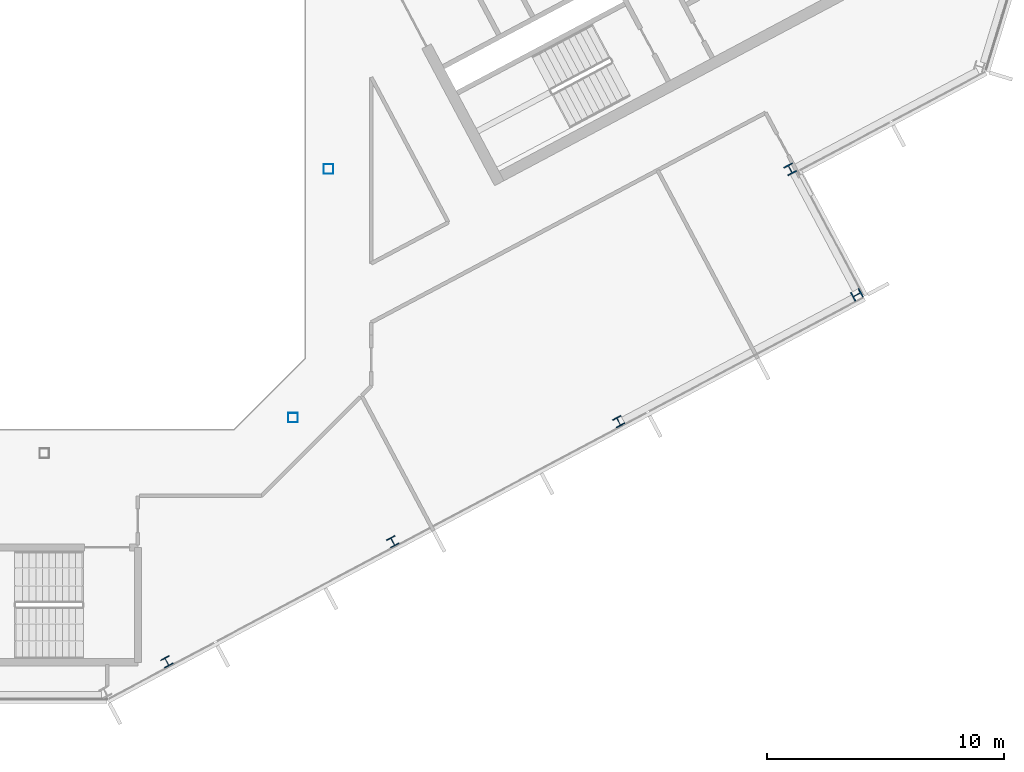
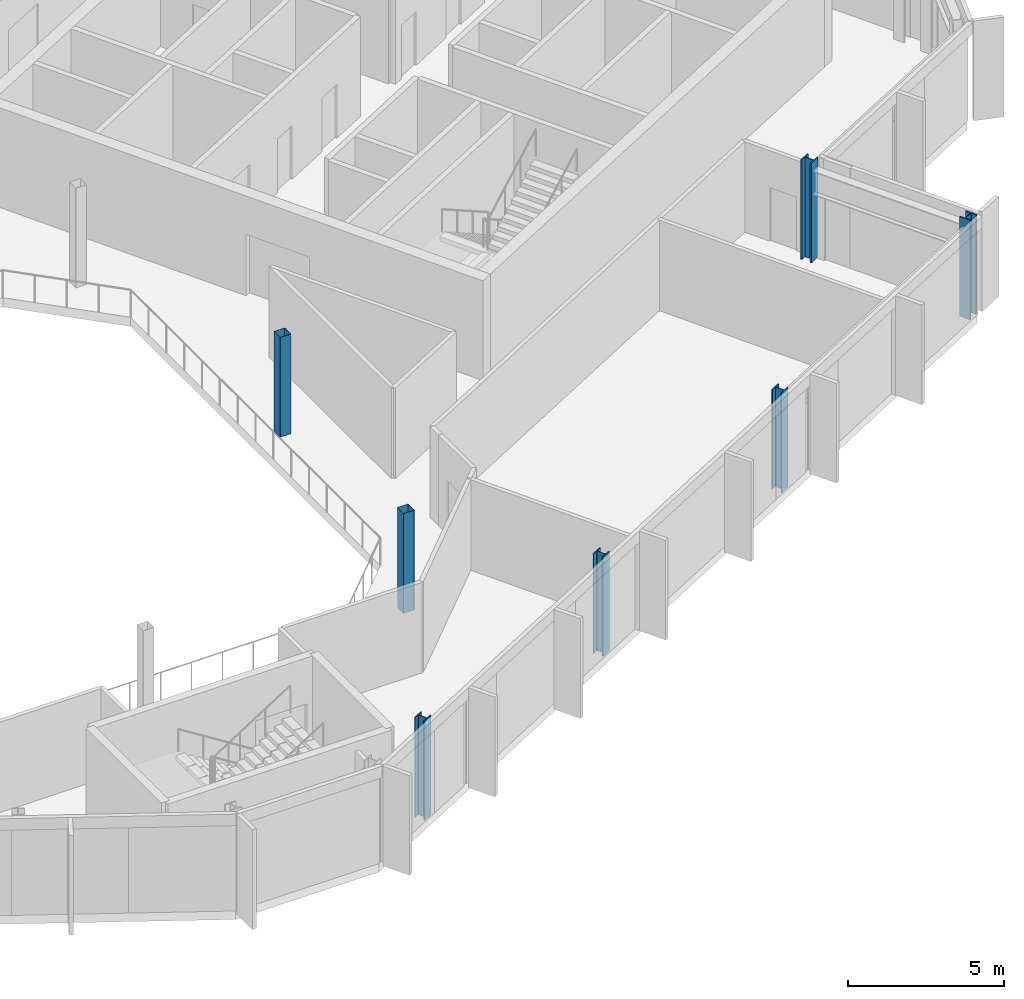
# One storey, part 5 of 25: 7 columns.
"""IFC4 building model written with IfcOpenShell, lengths in metres."""

from ifc_helpers import new_model, si_unit, direction, frame, origin, origin_2d, place, context, subcontext, project, spatial, hollow_rectangle, i_section, extrude, material, material_profile, profile_set, type_object, element, save


model = new_model("IFC4")

# Units and contexts
model_context = context("Model", 3, precision=1e-05, world=origin(), true_north=direction((0.0, 1.0)))
body_context = subcontext(model_context, "Body", "Model", "MODEL_VIEW")
ifc_project = project(units=[si_unit("LENGTHUNIT", "METRE"), si_unit("AREAUNIT", "SQUARE_METRE"), si_unit("VOLUMEUNIT", "CUBIC_METRE"), si_unit("PLANEANGLEUNIT", "RADIAN"), si_unit("MASSUNIT", "GRAM", prefix="KILO")], contexts=[model_context])

# Site, building, storey
site_placement = place(None, origin())
site = spatial("IfcSite", under=ifc_project, at=site_placement, CompositionType="ELEMENT")
building_placement = place(site_placement, origin())
building = spatial("IfcBuilding", under=site, at=building_placement, Name="Cormorant Relay Tower", CompositionType="ELEMENT")
storey_placement = place(building_placement, frame((0.0, 0.0, 273.60009765625)))
storey = spatial("IfcBuildingStorey", under=building, at=storey_placement, Name="L61", CompositionType="ELEMENT", Elevation=273.60009765625)

# Columns
ifc_material_1 = material(Name="Steel ASTM A500 Grade C (Fy 345 MPa)", Category="steel")
ifc_material_profile_1 = material_profile(ifc_material_1, hollow_rectangle(XDim=0.406494140625, YDim=0.406494140625, WallThickness=0.0087890625, InnerFilletRadius=0.00439453125, OuterFilletRadius=0.01318359375, at=origin_2d()), Name="HSS406x406x9")
ifc_profile_set_1 = profile_set([ifc_material_profile_1], Name="Steel ASTM A500 Grade C (Fy 345 MPa)")
column_type_1 = type_object("IfcColumnType", Name="Column HSS406x406x9", PredefinedType="COLUMN", material=ifc_profile_set_1)
for number, where, z_axis, x_axis, name in (
    (1, (10.5, -10.5, 0.0), (0.0, 0.0, 1.0), (1.0, 0.0, 0.0), "Column L61-010"),
    (2, (12.0, 0.0, 0.0), (0.0, 0.0, 1.0), (1.0, 0.0, 0.0), "Column L61-016"),
):
    element("IfcColumn", number, at=place(storey_placement, frame(where, z_axis=z_axis, x_axis=x_axis)), inside=storey, type_object=column_type_1, Name=name, PredefinedType="COLUMN", context=body_context, shape_type="SweptSolid", body=[
        extrude(hollow_rectangle(XDim=0.406494140625, YDim=0.406494140625, WallThickness=0.0087890625, InnerFilletRadius=0.00439453125, OuterFilletRadius=0.01318359375, at=origin_2d()), origin(), (0.0, 0.0, 1.0), 3.89990234375),
    ])
ifc_material_2 = material(Name="Steel ASTM A992 (Fy 345 MPa)", Category="steel")
ifc_material_profile_2 = material_profile(ifc_material_2, i_section(OverallWidth=0.398681640625, OverallDepth=0.385986328125, WebThickness=0.02099609375, FlangeThickness=0.033203125, FilletRadius=0.01513671875, at=origin_2d()), Name="W360x262")
ifc_profile_set_2 = profile_set([ifc_material_profile_2], Name="Steel ASTM A992 (Fy 345 MPa)")
column_type_2 = type_object("IfcColumnType", Name="Column W360x262", PredefinedType="COLUMN", material=ifc_profile_set_2)
for number, where, z_axis, x_axis, name in (
    (3, (5.174072265625, -20.806884765625, 0.0), (0.0, 0.0, 1.0), (0.882947592859, 0.469471562786, 0.0), "Column L61-003"),
    (4, (14.7099609375, -15.736083984375, 0.0), (0.0, 0.0, 1.0), (0.882947592859, 0.469471562786, 0.0), "Column L61-005"),
    (5, (24.2451171875, -10.666015625, 0.0), (0.0, 0.0, 1.0), (0.882947592859, 0.469471562786, 0.0), "Column L61-008"),
):
    element("IfcColumn", number, at=place(storey_placement, frame(where, z_axis=z_axis, x_axis=x_axis)), inside=storey, type_object=column_type_2, Name=name, PredefinedType="COLUMN", context=body_context, shape_type="SweptSolid", body=[
        extrude(i_section(OverallWidth=0.398681640625, OverallDepth=0.385986328125, WebThickness=0.02099609375, FlangeThickness=0.033203125, FilletRadius=0.01513671875, at=origin_2d()), origin(), (0.0, 0.0, 1.0), 3.89990234375),
    ])
ifc_material_3 = material(Name="Steel ASTM A992 (Fy 345 MPa)", Category="steel")
ifc_material_profile_3 = material_profile(ifc_material_3, i_section(OverallWidth=0.40380859375, OverallDepth=0.406494140625, WebThickness=0.027099609375, FlangeThickness=0.043701171875, FilletRadius=0.01513671875, at=origin_2d()), Name="W360x347")
ifc_profile_set_3 = profile_set([ifc_material_profile_3], Name="Steel ASTM A992 (Fy 345 MPa)")
column_type_3 = type_object("IfcColumnType", Name="Column W360x347", PredefinedType="COLUMN", material=ifc_profile_set_3)
for number, where, z_axis, x_axis, name in (
    (6, (34.303955078125, -5.31201171875, 0.0), (0.0, 0.0, 1.0), (-0.469471562786, 0.882947592859, 0.0), "Column L61-012"),
    (7, (31.487060546875, -0.013916015625, 0.0), (0.0, 0.0, 1.0), (0.882947592859, 0.469471562786, 0.0), "Column L61-014"),
):
    element("IfcColumn", number, at=place(storey_placement, frame(where, z_axis=z_axis, x_axis=x_axis)), inside=storey, type_object=column_type_3, Name=name, PredefinedType="COLUMN", context=body_context, shape_type="SweptSolid", body=[
        extrude(i_section(OverallWidth=0.40380859375, OverallDepth=0.406494140625, WebThickness=0.027099609375, FlangeThickness=0.043701171875, FilletRadius=0.01513671875, at=origin_2d()), origin(), (0.0, 0.0, 1.0), 3.89990234375),
    ])

save(model, "model.ifc")
